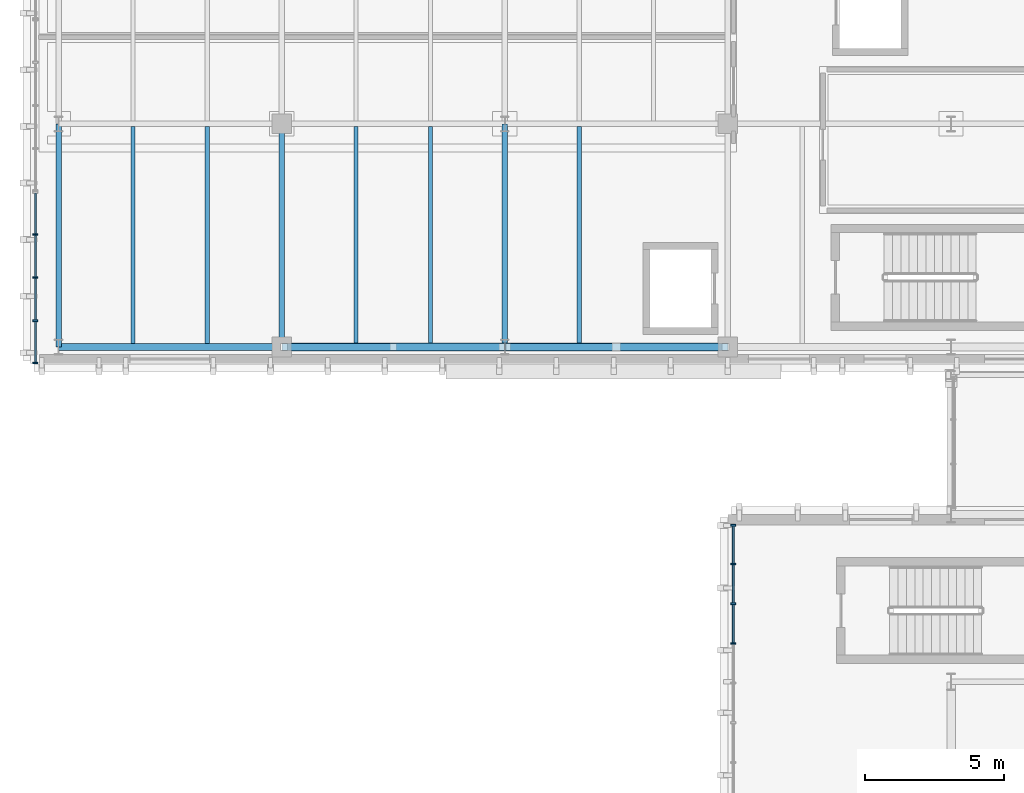
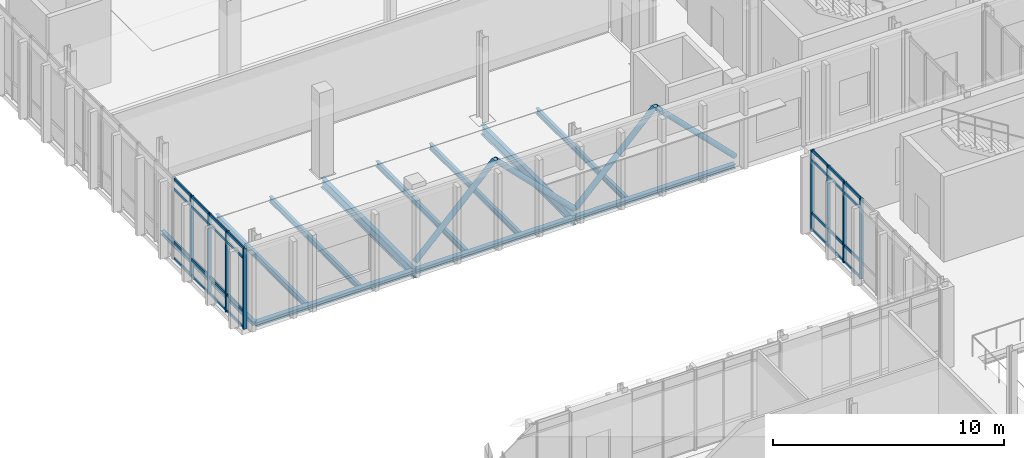
# One storey, part 18 of 100: 40 members, 11 beams, 2 elements without a shape of their own.
"""IFC4 building model written with IfcOpenShell, lengths in metres."""

from ifc_helpers import new_model, si_unit, direction, frame, origin, origin_2d, place, context, subcontext, project, spatial, rectangle, hollow_circle, i_section, extrude, material, material_profile, profile_set, type_object, element, aggregate, save


model = new_model("IFC4")

# Units and contexts
model_context = context("Model", 3, precision=1e-05, world=origin(), true_north=direction((0.0, 1.0)))
body_context = subcontext(model_context, "Body", "Model", "MODEL_VIEW")
ifc_project = project(units=[si_unit("LENGTHUNIT", "METRE"), si_unit("AREAUNIT", "SQUARE_METRE"), si_unit("VOLUMEUNIT", "CUBIC_METRE"), si_unit("PLANEANGLEUNIT", "RADIAN"), si_unit("MASSUNIT", "GRAM", prefix="KILO")], contexts=[model_context])

# Site, building, storey
site_placement = place(None, origin())
site = spatial("IfcSite", under=ifc_project, at=site_placement, CompositionType="ELEMENT")
building_placement = place(site_placement, origin())
building = spatial("IfcBuilding", under=site, at=building_placement, Name="Cymarion Research Institute", CompositionType="ELEMENT")
storey_placement = place(building_placement, frame((0.0, 0.0, 4.800048828125)))
storey = spatial("IfcBuildingStorey", under=building, at=storey_placement, Name="L01", CompositionType="ELEMENT", Elevation=4.800048828125)

# Curtain wall, members
ifc_material_1 = material(Name="Anodised aluminium unitised curtain wall with Low-E glazing", Category="aluminium")
curtain_wall_type_1 = type_object("IfcCurtainWallType", Name="UNITISED CURTAIN WALL CW15 11380X4250", PredefinedType="NOTDEFINED", material=ifc_material_1)
curtain_wall_1_placement = place(storey_placement, origin())
curtain_wall_1 = element("IfcCurtainWall", 1, at=curtain_wall_1_placement, inside=storey, type_object=curtain_wall_type_1, Name="L01 V3 unitised curtain wall CW15 #34", PredefinedType="NOTDEFINED")
ifc_material_2 = material(Name="Anodised aluminium framing", Category="aluminium")
ifc_material_profile_1 = material_profile(ifc_material_2, rectangle(XDim=0.06005859375, YDim=0.179931640625, at=origin_2d()), Name="ALU MULLION 60x180")
ifc_profile_set_1 = profile_set([ifc_material_profile_1], Name="Anodised aluminium framing")
member_type_1 = type_object("IfcMemberType", Name="CURTAIN WALL MULLION ML01 60X180", PredefinedType="MULLION", material=ifc_profile_set_1)
member_1_placement = place(storey_placement, frame((30.7900390625, 41.10791015625, 0.0), z_axis=(0.0, 0.0, 1.0), x_axis=(0.0, -1.0, 0.0)))
member_1 = element("IfcMember", 2, at=member_1_placement, type_object=member_type_1, Name="CW15 mullion 1", PredefinedType="MULLION", context=body_context, shape_type="SweptSolid", body=[
    extrude(rectangle(XDim=0.06005859375, YDim=0.179931640625, at=origin_2d()), origin(), (0.0, 0.0, 1.0), 4.25),
])
member_2_placement = place(storey_placement, frame((30.7900390625, 39.7158203125, 0.0), z_axis=(0.0, 0.0, 1.0), x_axis=(0.0, -1.0, 0.0)))
member_2 = element("IfcMember", 3, at=member_2_placement, type_object=member_type_1, Name="CW15 mullion 2", PredefinedType="MULLION", context=body_context, shape_type="SweptSolid", body=[
    extrude(rectangle(XDim=0.06005859375, YDim=0.179931640625, at=origin_2d()), origin(), (0.0, 0.0, 1.0), 4.25),
])
member_3_placement = place(storey_placement, frame((30.7900390625, 38.29345703125, 0.0), z_axis=(0.0, 0.0, 1.0), x_axis=(0.0, -1.0, 0.0)))
member_3 = element("IfcMember", 4, at=member_3_placement, type_object=member_type_1, Name="CW15 mullion 3", PredefinedType="MULLION", context=body_context, shape_type="SweptSolid", body=[
    extrude(rectangle(XDim=0.06005859375, YDim=0.179931640625, at=origin_2d()), origin(), (0.0, 0.0, 1.0), 4.25),
])
member_4_placement = place(storey_placement, frame((30.7900390625, 36.871337890625, 0.0), z_axis=(0.0, 0.0, 1.0), x_axis=(0.0, -1.0, 0.0)))
member_4 = element("IfcMember", 5, at=member_4_placement, type_object=member_type_1, Name="CW15 mullion 4", PredefinedType="MULLION", context=body_context, shape_type="SweptSolid", body=[
    extrude(rectangle(XDim=0.06005859375, YDim=0.179931640625, at=origin_2d()), origin(), (0.0, 0.0, 1.0), 4.25),
])

curtain_wall_type_2 = type_object("IfcCurtainWallType", Name="UNITISED CURTAIN WALL CW22 6180X4250", PredefinedType="NOTDEFINED", material=ifc_material_1)
curtain_wall_2_placement = place(storey_placement, origin())
curtain_wall_2 = element("IfcCurtainWall", 6, at=curtain_wall_2_placement, inside=storey, type_object=curtain_wall_type_2, Name="L01 V4 unitised curtain wall CW22 #48", PredefinedType="NOTDEFINED")
member_5_placement = place(storey_placement, frame((5.77001953125, 51.53173828125, 0.0), z_axis=(0.0, 0.0, 1.0), x_axis=(0.0, -1.0, 0.0)))
member_5 = element("IfcMember", 7, at=member_5_placement, type_object=member_type_1, Name="CW22 mullion 2", PredefinedType="MULLION", context=body_context, shape_type="SweptSolid", body=[
    extrude(rectangle(XDim=0.06005859375, YDim=0.179931640625, at=origin_2d()), origin(), (0.0, 0.0, 1.0), 4.25),
])
member_6_placement = place(storey_placement, frame((5.77001953125, 49.98779296875, 0.0), z_axis=(0.0, 0.0, 1.0), x_axis=(0.0, -1.0, 0.0)))
member_6 = element("IfcMember", 8, at=member_6_placement, type_object=member_type_1, Name="CW22 mullion 3", PredefinedType="MULLION", context=body_context, shape_type="SweptSolid", body=[
    extrude(rectangle(XDim=0.06005859375, YDim=0.179931640625, at=origin_2d()), origin(), (0.0, 0.0, 1.0), 4.25),
])
member_7_placement = place(storey_placement, frame((5.77001953125, 48.44384765625, 0.0), z_axis=(0.0, 0.0, 1.0), x_axis=(0.0, -1.0, 0.0)))
member_7 = element("IfcMember", 9, at=member_7_placement, type_object=member_type_1, Name="CW22 mullion 4", PredefinedType="MULLION", context=body_context, shape_type="SweptSolid", body=[
    extrude(rectangle(XDim=0.06005859375, YDim=0.179931640625, at=origin_2d()), origin(), (0.0, 0.0, 1.0), 4.25),
])
member_8_placement = place(storey_placement, frame((5.77001953125, 46.929931640625, 0.0), z_axis=(0.0, 0.0, 1.0), x_axis=(0.0, -1.0, 0.0)))
member_8 = element("IfcMember", 10, at=member_8_placement, type_object=member_type_1, Name="CW22 mullion 5", PredefinedType="MULLION", context=body_context, shape_type="SweptSolid", body=[
    extrude(rectangle(XDim=0.06005859375, YDim=0.179931640625, at=origin_2d()), origin(), (0.0, 0.0, 1.0), 4.25),
])

# Member
ifc_material_profile_2 = material_profile(ifc_material_2, rectangle(XDim=0.06005859375, YDim=0.14990234375, at=origin_2d()), Name="ALU TRANSOM 60x150")
ifc_profile_set_2 = profile_set([ifc_material_profile_2], Name="Anodised aluminium framing")
member_type_2 = type_object("IfcMemberType", Name="CURTAIN WALL TRANSOM TR01 60X150", PredefinedType="USERDEFINED", material=ifc_profile_set_2)
member_9_placement = place(storey_placement, frame((30.7900390625, 41.077880859375, 0.030029296875), z_axis=(0.0, -1.0, 0.0), x_axis=(1.0, 0.0, 0.0)))
member_9 = element("IfcMember", 11, at=member_9_placement, type_object=member_type_2, Name="CW15 transom 1.1", ObjectType="TRANSOM", PredefinedType="USERDEFINED", context=body_context, shape_type="SweptSolid", body=[
    extrude(rectangle(XDim=0.06005859375, YDim=0.14990234375, at=origin_2d()), origin(), (0.0, 0.0, 1.0), 1.33203125),
])

member_10_placement = place(storey_placement, frame((30.7900390625, 41.077880859375, 0.89990234375), z_axis=(0.0, -1.0, 0.0), x_axis=(1.0, 0.0, 0.0)))
member_10 = element("IfcMember", 12, at=member_10_placement, type_object=member_type_2, Name="CW15 transom 1.2", ObjectType="TRANSOM", PredefinedType="USERDEFINED", context=body_context, shape_type="SweptSolid", body=[
    extrude(rectangle(XDim=0.06005859375, YDim=0.14990234375, at=origin_2d()), origin(), (0.0, 0.0, 1.0), 1.33203125),
])

member_11_placement = place(storey_placement, frame((30.7900390625, 41.077880859375, 3.699951171875), z_axis=(0.0, -1.0, 0.0), x_axis=(1.0, 0.0, 0.0)))
member_11 = element("IfcMember", 13, at=member_11_placement, type_object=member_type_2, Name="CW15 transom 1.3", ObjectType="TRANSOM", PredefinedType="USERDEFINED", context=body_context, shape_type="SweptSolid", body=[
    extrude(rectangle(XDim=0.06005859375, YDim=0.14990234375, at=origin_2d()), origin(), (0.0, 0.0, 1.0), 1.33203125),
])

member_12_placement = place(storey_placement, frame((30.7900390625, 41.077880859375, 4.219970703125), z_axis=(0.0, -1.0, 0.0), x_axis=(1.0, 0.0, 0.0)))
member_12 = element("IfcMember", 14, at=member_12_placement, type_object=member_type_2, Name="CW15 transom 1.4", ObjectType="TRANSOM", PredefinedType="USERDEFINED", context=body_context, shape_type="SweptSolid", body=[
    extrude(rectangle(XDim=0.06005859375, YDim=0.14990234375, at=origin_2d()), origin(), (0.0, 0.0, 1.0), 1.33203125),
])

member_13_placement = place(storey_placement, frame((30.7900390625, 39.685791015625, 0.030029296875), z_axis=(0.0, -1.0, 0.0), x_axis=(1.0, 0.0, 0.0)))
member_13 = element("IfcMember", 15, at=member_13_placement, type_object=member_type_2, Name="CW15 transom 2.1", ObjectType="TRANSOM", PredefinedType="USERDEFINED", context=body_context, shape_type="SweptSolid", body=[
    extrude(rectangle(XDim=0.06005859375, YDim=0.14990234375, at=origin_2d()), origin(), (0.0, 0.0, 1.0), 1.3623046875),
])

member_14_placement = place(storey_placement, frame((30.7900390625, 39.685791015625, 0.89990234375), z_axis=(0.0, -1.0, 0.0), x_axis=(1.0, 0.0, 0.0)))
member_14 = element("IfcMember", 16, at=member_14_placement, type_object=member_type_2, Name="CW15 transom 2.2", ObjectType="TRANSOM", PredefinedType="USERDEFINED", context=body_context, shape_type="SweptSolid", body=[
    extrude(rectangle(XDim=0.06005859375, YDim=0.14990234375, at=origin_2d()), origin(), (0.0, 0.0, 1.0), 1.3623046875),
])

member_15_placement = place(storey_placement, frame((30.7900390625, 39.685791015625, 3.699951171875), z_axis=(0.0, -1.0, 0.0), x_axis=(1.0, 0.0, 0.0)))
member_15 = element("IfcMember", 17, at=member_15_placement, type_object=member_type_2, Name="CW15 transom 2.3", ObjectType="TRANSOM", PredefinedType="USERDEFINED", context=body_context, shape_type="SweptSolid", body=[
    extrude(rectangle(XDim=0.06005859375, YDim=0.14990234375, at=origin_2d()), origin(), (0.0, 0.0, 1.0), 1.3623046875),
])

member_16_placement = place(storey_placement, frame((30.7900390625, 39.685791015625, 4.219970703125), z_axis=(0.0, -1.0, 0.0), x_axis=(1.0, 0.0, 0.0)))
member_16 = element("IfcMember", 18, at=member_16_placement, type_object=member_type_2, Name="CW15 transom 2.4", ObjectType="TRANSOM", PredefinedType="USERDEFINED", context=body_context, shape_type="SweptSolid", body=[
    extrude(rectangle(XDim=0.06005859375, YDim=0.14990234375, at=origin_2d()), origin(), (0.0, 0.0, 1.0), 1.3623046875),
])

member_17_placement = place(storey_placement, frame((30.7900390625, 38.263427734375, 0.030029296875), z_axis=(0.0, -1.0, 0.0), x_axis=(1.0, 0.0, 0.0)))
member_17 = element("IfcMember", 19, at=member_17_placement, type_object=member_type_2, Name="CW15 transom 3.1", ObjectType="TRANSOM", PredefinedType="USERDEFINED", context=body_context, shape_type="SweptSolid", body=[
    extrude(rectangle(XDim=0.06005859375, YDim=0.14990234375, at=origin_2d()), origin(), (0.0, 0.0, 1.0), 1.362060546875),
])

member_18_placement = place(storey_placement, frame((30.7900390625, 38.263427734375, 0.89990234375), z_axis=(0.0, -1.0, 0.0), x_axis=(1.0, 0.0, 0.0)))
member_18 = element("IfcMember", 20, at=member_18_placement, type_object=member_type_2, Name="CW15 transom 3.2", ObjectType="TRANSOM", PredefinedType="USERDEFINED", context=body_context, shape_type="SweptSolid", body=[
    extrude(rectangle(XDim=0.06005859375, YDim=0.14990234375, at=origin_2d()), origin(), (0.0, 0.0, 1.0), 1.362060546875),
])

member_19_placement = place(storey_placement, frame((30.7900390625, 38.263427734375, 3.699951171875), z_axis=(0.0, -1.0, 0.0), x_axis=(1.0, 0.0, 0.0)))
member_19 = element("IfcMember", 21, at=member_19_placement, type_object=member_type_2, Name="CW15 transom 3.3", ObjectType="TRANSOM", PredefinedType="USERDEFINED", context=body_context, shape_type="SweptSolid", body=[
    extrude(rectangle(XDim=0.06005859375, YDim=0.14990234375, at=origin_2d()), origin(), (0.0, 0.0, 1.0), 1.362060546875),
])

member_20_placement = place(storey_placement, frame((30.7900390625, 38.263427734375, 4.219970703125), z_axis=(0.0, -1.0, 0.0), x_axis=(1.0, 0.0, 0.0)))
member_20 = element("IfcMember", 22, at=member_20_placement, type_object=member_type_2, Name="CW15 transom 3.4", ObjectType="TRANSOM", PredefinedType="USERDEFINED", context=body_context, shape_type="SweptSolid", body=[
    extrude(rectangle(XDim=0.06005859375, YDim=0.14990234375, at=origin_2d()), origin(), (0.0, 0.0, 1.0), 1.362060546875),
])

aggregate(curtain_wall_1, [member_1, member_2, member_3, member_4, member_9, member_10, member_11, member_12, member_13, member_14, member_15, member_16, member_17, member_18, member_19, member_20])

member_21_placement = place(storey_placement, frame((5.77001953125, 53.015625, 0.030029296875), z_axis=(0.0, -1.0, 0.0), x_axis=(1.0, 0.0, 0.0)))
member_21 = element("IfcMember", 23, at=member_21_placement, type_object=member_type_2, Name="CW22 transom 1.1", ObjectType="TRANSOM", PredefinedType="USERDEFINED", context=body_context, shape_type="SweptSolid", body=[
    extrude(rectangle(XDim=0.06005859375, YDim=0.14990234375, at=origin_2d()), origin(), (0.0, 0.0, 1.0), 1.453857421875),
])

member_22_placement = place(storey_placement, frame((5.77001953125, 53.015625, 0.89990234375), z_axis=(0.0, -1.0, 0.0), x_axis=(1.0, 0.0, 0.0)))
member_22 = element("IfcMember", 24, at=member_22_placement, type_object=member_type_2, Name="CW22 transom 1.2", ObjectType="TRANSOM", PredefinedType="USERDEFINED", context=body_context, shape_type="SweptSolid", body=[
    extrude(rectangle(XDim=0.06005859375, YDim=0.14990234375, at=origin_2d()), origin(), (0.0, 0.0, 1.0), 1.453857421875),
])

member_23_placement = place(storey_placement, frame((5.77001953125, 53.015625, 3.699951171875), z_axis=(0.0, -1.0, 0.0), x_axis=(1.0, 0.0, 0.0)))
member_23 = element("IfcMember", 25, at=member_23_placement, type_object=member_type_2, Name="CW22 transom 1.3", ObjectType="TRANSOM", PredefinedType="USERDEFINED", context=body_context, shape_type="SweptSolid", body=[
    extrude(rectangle(XDim=0.06005859375, YDim=0.14990234375, at=origin_2d()), origin(), (0.0, 0.0, 1.0), 1.453857421875),
])

member_24_placement = place(storey_placement, frame((5.77001953125, 53.015625, 4.219970703125), z_axis=(0.0, -1.0, 0.0), x_axis=(1.0, 0.0, 0.0)))
member_24 = element("IfcMember", 26, at=member_24_placement, type_object=member_type_2, Name="CW22 transom 1.4", ObjectType="TRANSOM", PredefinedType="USERDEFINED", context=body_context, shape_type="SweptSolid", body=[
    extrude(rectangle(XDim=0.06005859375, YDim=0.14990234375, at=origin_2d()), origin(), (0.0, 0.0, 1.0), 1.453857421875),
])

member_25_placement = place(storey_placement, frame((5.77001953125, 51.501708984375, 0.030029296875), z_axis=(0.0, -1.0, 0.0), x_axis=(1.0, 0.0, 0.0)))
member_25 = element("IfcMember", 27, at=member_25_placement, type_object=member_type_2, Name="CW22 transom 2.1", ObjectType="TRANSOM", PredefinedType="USERDEFINED", context=body_context, shape_type="SweptSolid", body=[
    extrude(rectangle(XDim=0.06005859375, YDim=0.14990234375, at=origin_2d()), origin(), (0.0, 0.0, 1.0), 1.48388671875),
])

member_26_placement = place(storey_placement, frame((5.77001953125, 51.501708984375, 0.89990234375), z_axis=(0.0, -1.0, 0.0), x_axis=(1.0, 0.0, 0.0)))
member_26 = element("IfcMember", 28, at=member_26_placement, type_object=member_type_2, Name="CW22 transom 2.2", ObjectType="TRANSOM", PredefinedType="USERDEFINED", context=body_context, shape_type="SweptSolid", body=[
    extrude(rectangle(XDim=0.06005859375, YDim=0.14990234375, at=origin_2d()), origin(), (0.0, 0.0, 1.0), 1.48388671875),
])

member_27_placement = place(storey_placement, frame((5.77001953125, 51.501708984375, 3.699951171875), z_axis=(0.0, -1.0, 0.0), x_axis=(1.0, 0.0, 0.0)))
member_27 = element("IfcMember", 29, at=member_27_placement, type_object=member_type_2, Name="CW22 transom 2.3", ObjectType="TRANSOM", PredefinedType="USERDEFINED", context=body_context, shape_type="SweptSolid", body=[
    extrude(rectangle(XDim=0.06005859375, YDim=0.14990234375, at=origin_2d()), origin(), (0.0, 0.0, 1.0), 1.48388671875),
])

member_28_placement = place(storey_placement, frame((5.77001953125, 51.501708984375, 4.219970703125), z_axis=(0.0, -1.0, 0.0), x_axis=(1.0, 0.0, 0.0)))
member_28 = element("IfcMember", 30, at=member_28_placement, type_object=member_type_2, Name="CW22 transom 2.4", ObjectType="TRANSOM", PredefinedType="USERDEFINED", context=body_context, shape_type="SweptSolid", body=[
    extrude(rectangle(XDim=0.06005859375, YDim=0.14990234375, at=origin_2d()), origin(), (0.0, 0.0, 1.0), 1.48388671875),
])

member_29_placement = place(storey_placement, frame((5.77001953125, 49.957763671875, 0.030029296875), z_axis=(0.0, -1.0, 0.0), x_axis=(1.0, 0.0, 0.0)))
member_29 = element("IfcMember", 31, at=member_29_placement, type_object=member_type_2, Name="CW22 transom 3.1", ObjectType="TRANSOM", PredefinedType="USERDEFINED", context=body_context, shape_type="SweptSolid", body=[
    extrude(rectangle(XDim=0.06005859375, YDim=0.14990234375, at=origin_2d()), origin(), (0.0, 0.0, 1.0), 1.48388671875),
])

member_30_placement = place(storey_placement, frame((5.77001953125, 49.957763671875, 0.89990234375), z_axis=(0.0, -1.0, 0.0), x_axis=(1.0, 0.0, 0.0)))
member_30 = element("IfcMember", 32, at=member_30_placement, type_object=member_type_2, Name="CW22 transom 3.2", ObjectType="TRANSOM", PredefinedType="USERDEFINED", context=body_context, shape_type="SweptSolid", body=[
    extrude(rectangle(XDim=0.06005859375, YDim=0.14990234375, at=origin_2d()), origin(), (0.0, 0.0, 1.0), 1.48388671875),
])

member_31_placement = place(storey_placement, frame((5.77001953125, 49.957763671875, 3.699951171875), z_axis=(0.0, -1.0, 0.0), x_axis=(1.0, 0.0, 0.0)))
member_31 = element("IfcMember", 33, at=member_31_placement, type_object=member_type_2, Name="CW22 transom 3.3", ObjectType="TRANSOM", PredefinedType="USERDEFINED", context=body_context, shape_type="SweptSolid", body=[
    extrude(rectangle(XDim=0.06005859375, YDim=0.14990234375, at=origin_2d()), origin(), (0.0, 0.0, 1.0), 1.48388671875),
])

member_32_placement = place(storey_placement, frame((5.77001953125, 49.957763671875, 4.219970703125), z_axis=(0.0, -1.0, 0.0), x_axis=(1.0, 0.0, 0.0)))
member_32 = element("IfcMember", 34, at=member_32_placement, type_object=member_type_2, Name="CW22 transom 3.4", ObjectType="TRANSOM", PredefinedType="USERDEFINED", context=body_context, shape_type="SweptSolid", body=[
    extrude(rectangle(XDim=0.06005859375, YDim=0.14990234375, at=origin_2d()), origin(), (0.0, 0.0, 1.0), 1.48388671875),
])

member_33_placement = place(storey_placement, frame((5.77001953125, 48.413818359375, 0.030029296875), z_axis=(0.0, -1.0, 0.0), x_axis=(1.0, 0.0, 0.0)))
member_33 = element("IfcMember", 35, at=member_33_placement, type_object=member_type_2, Name="CW22 transom 4.1", ObjectType="TRANSOM", PredefinedType="USERDEFINED", context=body_context, shape_type="SweptSolid", body=[
    extrude(rectangle(XDim=0.06005859375, YDim=0.14990234375, at=origin_2d()), origin(), (0.0, 0.0, 1.0), 1.453857421875),
])

member_34_placement = place(storey_placement, frame((5.77001953125, 48.413818359375, 0.89990234375), z_axis=(0.0, -1.0, 0.0), x_axis=(1.0, 0.0, 0.0)))
member_34 = element("IfcMember", 36, at=member_34_placement, type_object=member_type_2, Name="CW22 transom 4.2", ObjectType="TRANSOM", PredefinedType="USERDEFINED", context=body_context, shape_type="SweptSolid", body=[
    extrude(rectangle(XDim=0.06005859375, YDim=0.14990234375, at=origin_2d()), origin(), (0.0, 0.0, 1.0), 1.453857421875),
])

member_35_placement = place(storey_placement, frame((5.77001953125, 48.413818359375, 3.699951171875), z_axis=(0.0, -1.0, 0.0), x_axis=(1.0, 0.0, 0.0)))
member_35 = element("IfcMember", 37, at=member_35_placement, type_object=member_type_2, Name="CW22 transom 4.3", ObjectType="TRANSOM", PredefinedType="USERDEFINED", context=body_context, shape_type="SweptSolid", body=[
    extrude(rectangle(XDim=0.06005859375, YDim=0.14990234375, at=origin_2d()), origin(), (0.0, 0.0, 1.0), 1.453857421875),
])

member_36_placement = place(storey_placement, frame((5.77001953125, 48.413818359375, 4.219970703125), z_axis=(0.0, -1.0, 0.0), x_axis=(1.0, 0.0, 0.0)))
member_36 = element("IfcMember", 38, at=member_36_placement, type_object=member_type_2, Name="CW22 transom 4.4", ObjectType="TRANSOM", PredefinedType="USERDEFINED", context=body_context, shape_type="SweptSolid", body=[
    extrude(rectangle(XDim=0.06005859375, YDim=0.14990234375, at=origin_2d()), origin(), (0.0, 0.0, 1.0), 1.453857421875),
])

aggregate(curtain_wall_2, [member_5, member_6, member_7, member_8, member_21, member_22, member_23, member_24, member_25, member_26, member_27, member_28, member_29, member_30, member_31, member_32, member_33, member_34, member_35, member_36])

# Beams
ifc_material_3 = material(Name="Steel S355", Category="steel")
ifc_material_profile_3 = material_profile(ifc_material_3, i_section(OverallWidth=0.199951171875, OverallDepth=0.5, WebThickness=0.01025390625, FlangeThickness=0.01611328125, FilletRadius=0.02099609375, at=origin_2d()), Name="IPE 500")
ifc_profile_set_3 = profile_set([ifc_material_profile_3], Name="Steel S355")
beam_type_1 = type_object("IfcBeamType", Name="PRIMARY GIRDER BM03 IPE 500", PredefinedType="BEAM", material=ifc_profile_set_3)
for number, where, z_axis, x_axis, name in (
    (39, (14.60009765625, 47.506103515625, -0.5), (0.0, 1.0, 0.0), (-1.0, 0.0, 0.0), "L01 V4 girder BM03 #651"),
    (40, (22.60009765625, 47.506103515625, -0.5), (0.0, 1.0, 0.0), (-1.0, 0.0, 0.0), "L01 V4 girder BM03 #655"),
):
    element("IfcBeam", number, at=place(storey_placement, frame(where, z_axis=z_axis, x_axis=x_axis)), inside=storey, type_object=beam_type_1, Name=name, PredefinedType="BEAM", context=body_context, shape_type="SweptSolid", body=[
        extrude(i_section(OverallWidth=0.199951171875, OverallDepth=0.5, WebThickness=0.01025390625, FlangeThickness=0.01611328125, FilletRadius=0.02099609375, at=origin_2d()), origin(), (0.0, 0.0, 1.0), 7.98779296875),
    ])
ifc_material_profile_4 = material_profile(ifc_material_3, i_section(OverallWidth=0.14990234375, OverallDepth=0.300048828125, WebThickness=0.007080078125, FlangeThickness=0.0107421875, FilletRadius=0.014892578125, at=origin_2d()), Name="IPE 300")
ifc_profile_set_4 = profile_set([ifc_material_profile_4], Name="Steel S355")
beam_type_2 = type_object("IfcBeamType", Name="SECONDARY JOIST JS02 IPE 300", PredefinedType="JOIST", material=ifc_profile_set_4)
for number, where, z_axis, x_axis, name in (
    (41, (9.2666015625, 47.6240234375, -0.400146484375), (0.0, 1.0, 0.0), (-1.0, 0.0, 0.0), "L01 V4 secondary joist JS02 #669"),
    (42, (11.933349609375, 47.6240234375, -0.400146484375), (0.0, 1.0, 0.0), (-1.0, 0.0, 0.0), "L01 V4 secondary joist JS02 #670"),
    (43, (17.2666015625, 47.6240234375, -0.400146484375), (0.0, 1.0, 0.0), (-1.0, 0.0, 0.0), "L01 V4 secondary joist JS02 #671"),
    (44, (19.933349609375, 47.6240234375, -0.400146484375), (0.0, 1.0, 0.0), (-1.0, 0.0, 0.0), "L01 V4 secondary joist JS02 #672"),
    (45, (25.2666015625, 47.6240234375, -0.400146484375), (0.0, 1.0, 0.0), (-1.0, 0.0, 0.0), "L01 V4 secondary joist JS02 #673"),
):
    element("IfcBeam", number, at=place(storey_placement, frame(where, z_axis=z_axis, x_axis=x_axis)), inside=storey, type_object=beam_type_2, Name=name, PredefinedType="JOIST", context=body_context, shape_type="SweptSolid", body=[
        extrude(i_section(OverallWidth=0.14990234375, OverallDepth=0.300048828125, WebThickness=0.007080078125, FlangeThickness=0.0107421875, FilletRadius=0.014892578125, at=origin_2d()), origin(), (0.0, 0.0, 1.0), 7.77685546875),
    ])
ifc_material_profile_5 = material_profile(ifc_material_3, i_section(OverallWidth=0.239990234375, OverallDepth=0.22998046875, WebThickness=0.007568359375, FlangeThickness=0.011962890625, FilletRadius=0.02099609375, at=origin_2d()), Name="HEA 240")
ifc_profile_set_5 = profile_set([ifc_material_profile_5], Name="Steel S355")
beam_type_3 = type_object("IfcBeamType", Name="SPANDREL BEAM SPB03 HEA 240", PredefinedType="SPANDREL", material=ifc_profile_set_5)
for number, where, z_axis, x_axis, name in (
    (46, (6.60595703125, 47.5, -0.364990234375), (1.0, 0.0, 0.0), (0.0, 1.0, 0.0), "L01 V4 girder SPB03 #621"),
    (47, (14.60595703125, 47.5, -0.364990234375), (1.0, 0.0, 0.0), (0.0, 1.0, 0.0), "L01 V4 girder SPB03 #622"),
    (48, (22.60595703125, 47.5, -0.364990234375), (1.0, 0.0, 0.0), (0.0, 1.0, 0.0), "L01 V4 girder SPB03 #623"),
):
    element("IfcBeam", number, at=place(storey_placement, frame(where, z_axis=z_axis, x_axis=x_axis)), inside=storey, type_object=beam_type_3, Name=name, PredefinedType="SPANDREL", context=body_context, shape_type="SweptSolid", body=[
        extrude(i_section(OverallWidth=0.239990234375, OverallDepth=0.22998046875, WebThickness=0.007568359375, FlangeThickness=0.011962890625, FilletRadius=0.02099609375, at=origin_2d()), origin(), (0.0, 0.0, 1.0), 7.988037109375),
    ])
ifc_material_profile_6 = material_profile(ifc_material_3, i_section(OverallWidth=0.199951171875, OverallDepth=0.18994140625, WebThickness=0.006591796875, FlangeThickness=0.010009765625, FilletRadius=0.01806640625, at=origin_2d()), Name="HEA 200")
ifc_profile_set_6 = profile_set([ifc_material_profile_6], Name="Steel S355")
beam_type_4 = type_object("IfcBeamType", Name="SPANDREL BEAM SPB04 HEA 200", PredefinedType="SPANDREL", material=ifc_profile_set_6)
beam_placement = place(storey_placement, frame((6.60009765625, 47.506103515625, -0.344970703125), z_axis=(0.0, 1.0, 0.0), x_axis=(-1.0, 0.0, 0.0)))
element("IfcBeam", 49, at=beam_placement, inside=storey, type_object=beam_type_4, Name="L01 V4 girder SPB04 #647", PredefinedType="SPANDREL", context=body_context, shape_type="SweptSolid", body=[
    extrude(i_section(OverallWidth=0.199951171875, OverallDepth=0.18994140625, WebThickness=0.006591796875, FlangeThickness=0.010009765625, FilletRadius=0.01806640625, at=origin_2d()), origin(), (0.0, 0.0, 1.0), 7.98779296875),
])

# Members
ifc_material_profile_7 = material_profile(ifc_material_3, hollow_circle(Radius=0.136474609375, WallThickness=0.012451171875, at=origin_2d()), Name="CHS 273.0x12.5")
ifc_profile_set_7 = profile_set([ifc_material_profile_7], Name="Steel S355")
member_type_3 = type_object("IfcMemberType", Name="STRUCTURAL MEMBER BR04 CHS 273.0x12.5", PredefinedType="BRACE", material=ifc_profile_set_7)
member_37_placement = place(storey_placement, frame((14.6142578125, 47.5, 0.119873046875), z_axis=(0.70610954467, 0.0, 0.708102613275), x_axis=(0.0, 1.0, 0.0)))
element("IfcMember", 50, at=member_37_placement, inside=storey, type_object=member_type_3, Name="L01 V4 seismic chevron brace BR04 #1", PredefinedType="BRACE", context=body_context, shape_type="SweptSolid", body=[
    extrude(hollow_circle(Radius=0.136474609375, WallThickness=0.012451171875, at=origin_2d()), origin(), (0.0, 0.0, 1.0), 5.634765625),
])
member_38_placement = place(storey_placement, frame((22.585693359375, 47.5, 0.119873046875), z_axis=(-0.706087818821, 0.0, 0.708124277307), x_axis=(0.0, -1.0, 0.0)))
element("IfcMember", 51, at=member_38_placement, inside=storey, type_object=member_type_3, Name="L01 V4 seismic chevron brace BR04 #2", PredefinedType="BRACE", context=body_context, shape_type="SweptSolid", body=[
    extrude(hollow_circle(Radius=0.136474609375, WallThickness=0.012451171875, at=origin_2d()), origin(), (0.0, 0.0, 1.0), 5.634521484375),
])
member_39_placement = place(storey_placement, frame((22.6142578125, 47.5, 0.119873046875), z_axis=(0.70610954467, 0.0, 0.708102613275), x_axis=(0.0, 1.0, 0.0)))
element("IfcMember", 52, at=member_39_placement, inside=storey, type_object=member_type_3, Name="L01 V4 seismic chevron brace BR04 #1", PredefinedType="BRACE", context=body_context, shape_type="SweptSolid", body=[
    extrude(hollow_circle(Radius=0.136474609375, WallThickness=0.012451171875, at=origin_2d()), origin(), (0.0, 0.0, 1.0), 5.634765625),
])
member_40_placement = place(storey_placement, frame((30.585693359375, 47.5, 0.119873046875), z_axis=(-0.706087818821, 0.0, 0.708124277307), x_axis=(0.0, -1.0, 0.0)))
element("IfcMember", 53, at=member_40_placement, inside=storey, type_object=member_type_3, Name="L01 V4 seismic chevron brace BR04 #2", PredefinedType="BRACE", context=body_context, shape_type="SweptSolid", body=[
    extrude(hollow_circle(Radius=0.136474609375, WallThickness=0.012451171875, at=origin_2d()), origin(), (0.0, 0.0, 1.0), 5.634521484375),
])

save(model, "model.ifc")
